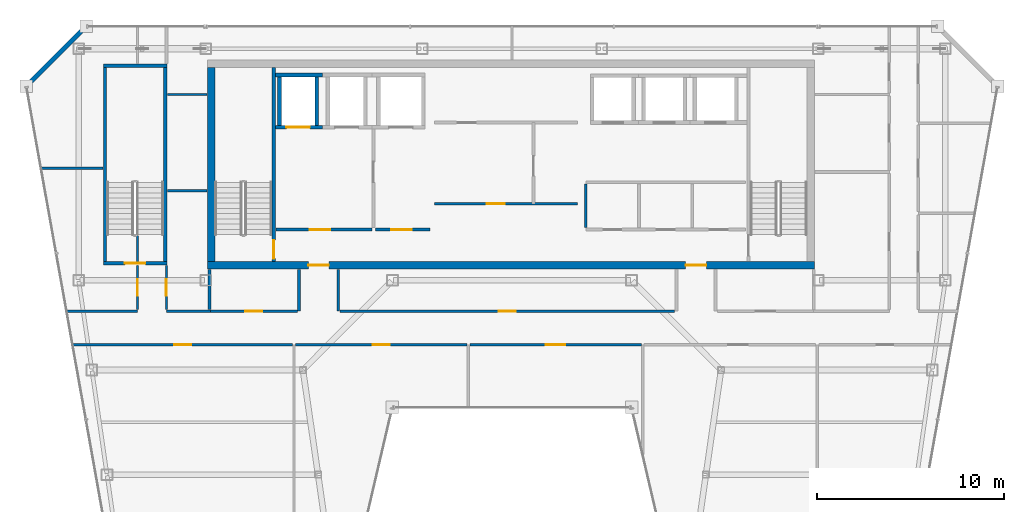
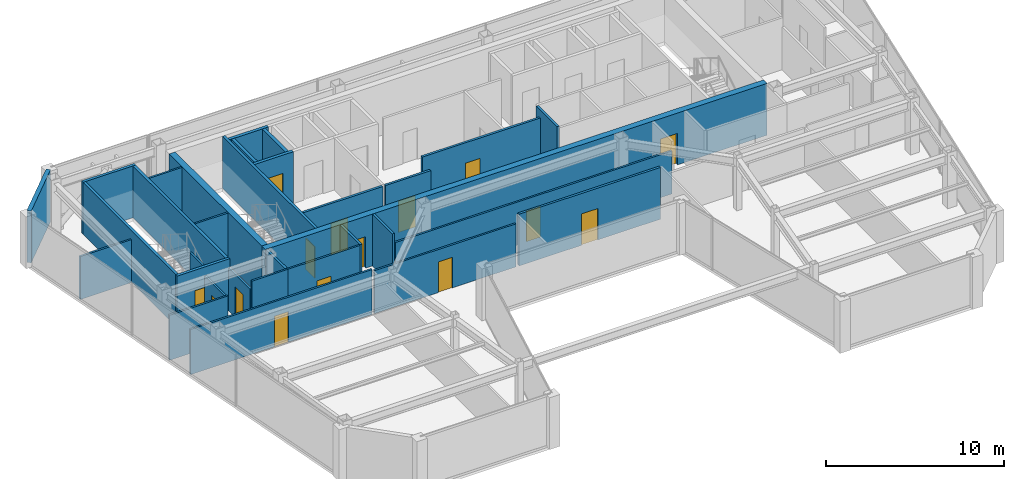
# One storey, part 27 of 32: 32 walls, 15 doors, 15 openings.
"""IFC4 building model written with IfcOpenShell, lengths in metres."""

from ifc_helpers import new_model, si_unit, direction, frame, frame_2d, origin, place, context, subcontext, project, spatial, rectangle, extrude, material, layer, layer_set, type_object, element, fill, save


model = new_model("IFC4")

# Units and contexts
model_context = context("Model", 3, precision=1e-05, world=origin(), true_north=direction((0.0, 1.0)))
body_context = subcontext(model_context, "Body", "Model", "MODEL_VIEW")
ifc_project = project(units=[si_unit("LENGTHUNIT", "METRE"), si_unit("AREAUNIT", "SQUARE_METRE"), si_unit("VOLUMEUNIT", "CUBIC_METRE"), si_unit("PLANEANGLEUNIT", "RADIAN"), si_unit("MASSUNIT", "GRAM", prefix="KILO")], contexts=[model_context])

# Site, building, storey
site_placement = place(None, origin())
site = spatial("IfcSite", under=ifc_project, at=site_placement, CompositionType="ELEMENT")
building_placement = place(site_placement, origin())
building = spatial("IfcBuilding", under=site, at=building_placement, Name="Saevonmaru Cultural Tower", CompositionType="ELEMENT")
storey_placement = place(building_placement, frame((0.0, 0.0, 264.800048828125)))
storey = spatial("IfcBuildingStorey", under=building, at=storey_placement, Name="L62", CompositionType="ELEMENT", Elevation=264.800048828125)

# Wall, openings, doors
ifc_material_1 = material(Name="Concrete C50/60", Category="concrete")
ifc_layer_1 = layer(ifc_material_1, 0.39990234375, Name="Concrete C50/60")
ifc_layer_set_1 = layer_set([ifc_layer_1], Name="Concrete C50/60")
wall_type_1 = type_object("IfcWallType", Name="WL-CORE-400", PredefinedType="SHEAR", material=ifc_layer_set_1)
wall_1_placement = place(storey_placement, frame((13.699951171875, 43.199951171875, 0.0), z_axis=(0.0, 0.0, 1.0), x_axis=(1.0, 0.0, 0.0)))
wall_1 = element("IfcWall", 1, at=wall_1_placement, inside=storey, type_object=wall_type_1, Name="L62 Tower RC core shear wall S", PredefinedType="SHEAR", context=body_context, shape_type="SweptSolid", body=[
    extrude(rectangle(XDim=32.5, YDim=0.39990234375, at=frame_2d((16.25, 0.0))), origin(), (0.0, 0.0, 1.0), 3.550048828125),
])
opening_1_placement = place(wall_1_placement, frame((5.39990234375, 0.0, 0.0)))
opening_1 = element("IfcOpeningElement", 2, at=opening_1_placement, cuts=wall_1, Name="Opening FD-2", PredefinedType="OPENING", context=body_context, shape_type="SweptSolid", body=[
    extrude(rectangle(XDim=1.10009765625, YDim=2.14990234375, at=frame_2d((0.550048828125, 1.074951171875))), frame((0.0, 0.2099609375, 0.0), z_axis=(0.0, -1.0, 0.0), x_axis=(1.0, 0.0, 0.0)), (0.0, 0.0, 1.0), 0.419921875),
])
opening_2_placement = place(wall_1_placement, frame((25.60009765625, 0.0, 0.0)))
opening_2 = element("IfcOpeningElement", 3, at=opening_2_placement, cuts=wall_1, Name="Opening FD-2", PredefinedType="OPENING", context=body_context, shape_type="SweptSolid", body=[
    extrude(rectangle(XDim=1.10009765625, YDim=2.14990234375, at=frame_2d((0.550048828125, 1.074951171875))), frame((0.0, 0.2099609375, 0.0), z_axis=(0.0, -1.0, 0.0), x_axis=(1.0, 0.0, 0.0)), (0.0, 0.0, 1.0), 0.419921875),
])
ifc_material_2 = material(Name="Satin Bronze Anodised Aluminium", Category="aluminium")
door_type_1 = type_object("IfcDoorType", Name="DR-FD60-1100", OperationType="SINGLE_SWING_LEFT", PredefinedType="DOOR", material=ifc_material_2)
door_1_placement = place(opening_1_placement, origin())
door_1 = element("IfcDoor", 4, at=door_1_placement, inside=storey, type_object=door_type_1, Name="L62 Core West Lobby Fire Door", OperationType="SINGLE_SWING_LEFT", OverallHeight=2.14990234375, OverallWidth=1.10009765625, PredefinedType="DOOR", context=body_context, shape_type="SweptSolid", body=[
    extrude(rectangle(XDim=1.10009765625, YDim=2.14990234375, at=frame_2d((0.550048828125, 1.074951171875))), frame((0.0, 0.02490234375, 0.0), z_axis=(0.0, -1.0, 0.0), x_axis=(1.0, 0.0, 0.0)), (0.0, 0.0, 1.0), 0.050048828125),
])
fill(opening_1, door_1)
door_2_placement = place(opening_2_placement, origin())
door_2 = element("IfcDoor", 5, at=door_2_placement, inside=storey, type_object=door_type_1, Name="L62 Core East Lobby Fire Door", OperationType="SINGLE_SWING_LEFT", OverallHeight=2.14990234375, OverallWidth=1.10009765625, PredefinedType="DOOR", context=body_context, shape_type="SweptSolid", body=[
    extrude(rectangle(XDim=1.10009765625, YDim=2.14990234375, at=frame_2d((0.550048828125, 1.074951171875))), frame((0.0, 0.02490234375, 0.0), z_axis=(0.0, -1.0, 0.0), x_axis=(1.0, 0.0, 0.0)), (0.0, 0.0, 1.0), 0.050048828125),
])
fill(opening_2, door_2)

# Wall
wall_2_placement = place(storey_placement, frame((13.89990234375, 43.39990234375, 0.0), z_axis=(0.0, 0.0, 1.0), x_axis=(0.0, 1.0, 0.0)))
element("IfcWall", 6, at=wall_2_placement, inside=storey, type_object=wall_type_1, Name="L62 Tower RC core shear wall W", PredefinedType="SHEAR", context=body_context, shape_type="SweptSolid", body=[
    extrude(rectangle(XDim=10.400146484375, YDim=0.39990234375, at=frame_2d((5.2001953125, 0.0))), origin(), (0.0, 0.0, 1.0), 3.550048828125),
])

# Wall, opening, door
ifc_material_3 = material(Name="Gypsum Fireboard Partition", Category="gypsum")
ifc_layer_2 = layer(ifc_material_3, 0.14990234375, Name="Gypsum Fireboard Partition")
ifc_layer_set_2 = layer_set([ifc_layer_2], Name="Gypsum Fireboard Partition")
wall_type_2 = type_object("IfcWallType", Name="WL-CORE-PART-150", PredefinedType="PARTITIONING", material=ifc_layer_set_2)
wall_3_placement = place(storey_placement, frame((17.360107421875, 45.1201171875, 0.0), z_axis=(0.0, 0.0, 1.0), x_axis=(1.0, 0.0, 0.0)))
wall_3 = element("IfcWall", 7, at=wall_3_placement, inside=storey, type_object=wall_type_2, Name="L62 Firefighting Lift Lobby South Wall", PredefinedType="PARTITIONING", context=body_context, shape_type="SweptSolid", body=[
    extrude(rectangle(XDim=5.139892578125, YDim=0.14990234375, at=frame_2d((2.56982421875, 0.0))), origin(), (0.0, 0.0, 1.0), 3.550048828125),
])
opening_3_placement = place(wall_3_placement, frame((1.800048828125, 0.0, 0.0)))
opening_3 = element("IfcOpeningElement", 8, at=opening_3_placement, cuts=wall_3, Name="Opening FD-2", PredefinedType="OPENING", context=body_context, shape_type="SweptSolid", body=[
    extrude(rectangle(XDim=1.10009765625, YDim=2.14990234375, at=frame_2d((0.550048828125, 1.074951171875))), frame((0.0, 0.0849609375, 0.0), z_axis=(0.0, -1.0, 0.0), x_axis=(1.0, 0.0, 0.0)), (0.0, 0.0, 1.0), 0.169921875),
])
door_3_placement = place(opening_3_placement, origin())
door_3 = element("IfcDoor", 9, at=door_3_placement, inside=storey, type_object=door_type_1, Name="L62 Firefighting Lift Lobby South Door", OperationType="SINGLE_SWING_LEFT", OverallHeight=2.14990234375, OverallWidth=1.10009765625, PredefinedType="DOOR", context=body_context, shape_type="SweptSolid", body=[
    extrude(rectangle(XDim=1.10009765625, YDim=2.14990234375, at=frame_2d((0.550048828125, 1.074951171875))), frame((0.0, 0.02490234375, 0.0), z_axis=(0.0, -1.0, 0.0), x_axis=(1.0, 0.0, 0.0)), (0.0, 0.0, 1.0), 0.050048828125),
])
fill(opening_3, door_3)

wall_4_placement = place(storey_placement, frame((22.679931640625, 45.1201171875, 0.0), z_axis=(0.0, 0.0, 1.0), x_axis=(1.0, 0.0, 0.0)))
wall_4 = element("IfcWall", 10, at=wall_4_placement, inside=storey, type_object=wall_type_2, Name="L62 Service Lift Vestibule Wall", PredefinedType="PARTITIONING", context=body_context, shape_type="SweptSolid", body=[
    extrude(rectangle(XDim=2.920166015625, YDim=0.14990234375, at=frame_2d((1.4599609375, 0.0))), origin(), (0.0, 0.0, 1.0), 3.550048828125),
])
opening_4_placement = place(wall_4_placement, frame((0.85009765625, 0.0, 0.0)))
opening_4 = element("IfcOpeningElement", 11, at=opening_4_placement, cuts=wall_4, Name="Opening FD-2", PredefinedType="OPENING", context=body_context, shape_type="SweptSolid", body=[
    extrude(rectangle(XDim=1.10009765625, YDim=2.14990234375, at=frame_2d((0.550048828125, 1.074951171875))), frame((0.0, 0.0849609375, 0.0), z_axis=(0.0, -1.0, 0.0), x_axis=(1.0, 0.0, 0.0)), (0.0, 0.0, 1.0), 0.169921875),
])
door_4_placement = place(opening_4_placement, origin())
door_4 = element("IfcDoor", 12, at=door_4_placement, inside=storey, type_object=door_type_1, Name="L62 Service Lift Vestibule Door", OperationType="SINGLE_SWING_LEFT", OverallHeight=2.14990234375, OverallWidth=1.10009765625, PredefinedType="DOOR", context=body_context, shape_type="SweptSolid", body=[
    extrude(rectangle(XDim=1.10009765625, YDim=2.14990234375, at=frame_2d((0.550048828125, 1.074951171875))), frame((0.0, 0.02490234375, 0.0), z_axis=(0.0, -1.0, 0.0), x_axis=(1.0, 0.0, 0.0)), (0.0, 0.0, 1.0), 0.050048828125),
])
fill(opening_4, door_4)

# Wall
wall_5_placement = place(storey_placement, frame((33.949951171875, 45.219970703125, 0.0), z_axis=(0.0, 0.0, 1.0), x_axis=(0.0, 1.0, 0.0)))
element("IfcWall", 13, at=wall_5_placement, inside=storey, type_object=wall_type_2, Name="L62 Core Utility West Wall", PredefinedType="PARTITIONING", context=body_context, shape_type="SweptSolid", body=[
    extrude(rectangle(XDim=2.330078125, YDim=0.14990234375, at=frame_2d((1.1650390625, 0.0))), origin(), (0.0, 0.0, 1.0), 3.550048828125),
])

# Wall, opening, door
wall_6_placement = place(storey_placement, frame((25.85009765625, 46.5, 0.0), z_axis=(0.0, 0.0, 1.0), x_axis=(1.0, 0.0, 0.0)))
wall_6 = element("IfcWall", 14, at=wall_6_placement, inside=storey, type_object=wall_type_2, Name="L62 Reclaimed Mid-Shaft Wall", PredefinedType="PARTITIONING", context=body_context, shape_type="SweptSolid", body=[
    extrude(rectangle(XDim=7.64990234375, YDim=0.14990234375, at=frame_2d((3.824951171875, 0.0))), origin(), (0.0, 0.0, 1.0), 3.550048828125),
])
opening_5_placement = place(wall_6_placement, frame((2.800048828125, 0.0, 0.0)))
opening_5 = element("IfcOpeningElement", 15, at=opening_5_placement, cuts=wall_6, Name="Opening FD-4", PredefinedType="OPENING", context=body_context, shape_type="SweptSolid", body=[
    extrude(rectangle(XDim=0.949951171875, YDim=2.14990234375, at=frame_2d((0.47509765625, 1.074951171875))), frame((0.0, 0.0849609375, 0.0), z_axis=(0.0, -1.0, 0.0), x_axis=(1.0, 0.0, 0.0)), (0.0, 0.0, 1.0), 0.169921875),
])
door_type_2 = type_object("IfcDoorType", Name="DR-FD60-950", OperationType="SINGLE_SWING_LEFT", PredefinedType="DOOR", material=ifc_material_2)
door_5_placement = place(opening_5_placement, origin())
door_5 = element("IfcDoor", 16, at=door_5_placement, inside=storey, type_object=door_type_2, Name="L62 Reclaimed Manuscript Storage Door", OperationType="SINGLE_SWING_LEFT", OverallHeight=2.14990234375, OverallWidth=0.949951171875, PredefinedType="DOOR", context=body_context, shape_type="SweptSolid", body=[
    extrude(rectangle(XDim=0.949951171875, YDim=2.14990234375, at=frame_2d((0.47509765625, 1.074951171875))), frame((0.0, 0.02490234375, 0.0), z_axis=(0.0, -1.0, 0.0), x_axis=(1.0, 0.0, 0.0)), (0.0, 0.0, 1.0), 0.050048828125),
])
fill(opening_5, door_5)

# Walls
ifc_material_4 = material(Name="Granite-Clad Precast Concrete C40/50", Category="masonry")
ifc_layer_3 = layer(ifc_material_4, 0.260009765625, Name="Granite-Clad Precast Concrete C40/50")
ifc_layer_set_3 = layer_set([ifc_layer_3], Name="Granite-Clad Precast Concrete C40/50")
wall_type_3 = type_object("IfcWallType", Name="WL-EXT-SPANDREL-260", PredefinedType="STANDARD", material=ifc_layer_set_3)
wall_7_placement = place(storey_placement, frame((7.0869140625, 55.886962890625, 0.0), z_axis=(0.0, 0.0, 1.0), x_axis=(-0.707106781187, -0.707106781187, 0.0)))
element("IfcWall", 17, at=wall_7_placement, inside=storey, type_object=wall_type_3, Name="L62 Chamfer Corner Spandrel Wall E11", PredefinedType="STANDARD", context=body_context, shape_type="SweptSolid", body=[
    extrude(rectangle(XDim=4.205810546875, YDim=0.260009765625, at=frame_2d((2.10302734375, 0.0))), origin(), (0.0, 0.0, 1.0), 3.550048828125),
])
ifc_layer_4 = layer(ifc_material_3, 0.14990234375, Name="Gypsum Fireboard Partition")
ifc_layer_set_4 = layer_set([ifc_layer_4], Name="Gypsum Fireboard Partition")
wall_type_4 = type_object("IfcWallType", Name="WL-PART-FIRE-150", PredefinedType="PARTITIONING", material=ifc_layer_set_4)
wall_8_placement = place(storey_placement, frame((13.800048828125, 40.830078125, 0.0), z_axis=(0.0, 0.0, 1.0), x_axis=(0.0, 1.0, 0.0)))
element("IfcWall", 18, at=wall_8_placement, inside=storey, type_object=wall_type_4, Name="L62 Core Portal Side Wall W0", PredefinedType="PARTITIONING", context=body_context, shape_type="SweptSolid", body=[
    extrude(rectangle(XDim=2.14990234375, YDim=0.14990234375, at=frame_2d((1.074951171875, 0.0))), origin(), (0.0, 0.0, 1.0), 3.550048828125),
])
for number, where, z_axis, x_axis, name in (
    (19, (18.60009765625, 40.75, 0.0), (0.0, 0.0, 1.0), (0.0, 1.0, 0.0), "L62 Core Portal Side Wall W1"),
    (20, (20.699951171875, 40.75, 0.0), (0.0, 0.0, 1.0), (0.0, 1.0, 0.0), "L62 Core Portal Side Wall W2"),
):
    element("IfcWall", number, at=place(storey_placement, frame(where, z_axis=z_axis, x_axis=x_axis)), inside=storey, type_object=wall_type_4, Name=name, PredefinedType="PARTITIONING", context=body_context, shape_type="SweptSolid", body=[
        extrude(rectangle(XDim=2.22998046875, YDim=0.14990234375, at=frame_2d((1.114990234375, 0.0))), origin(), (0.0, 0.0, 1.0), 3.550048828125),
    ])

# Wall, opening, door
wall_9_placement = place(storey_placement, frame((27.757568359375, 38.949951171875, 0.0), z_axis=(0.0, 0.0, 1.0), x_axis=(1.0, 0.0, 0.0)))
wall_9 = element("IfcWall", 21, at=wall_9_placement, inside=storey, type_object=wall_type_4, Name="L62 Sculpture Study Gallery Corridor Wall", PredefinedType="PARTITIONING", context=body_context, shape_type="SweptSolid", body=[
    extrude(rectangle(XDim=9.162353515625, YDim=0.14990234375, at=frame_2d((4.5810546875, 0.0))), origin(), (0.0, 0.0, 1.0), 3.550048828125),
])
opening_6_placement = place(wall_9_placement, frame((4.055908203125, 0.0, 0.0)))
opening_6 = element("IfcOpeningElement", 22, at=opening_6_placement, cuts=wall_9, Name="Opening ID-1", PredefinedType="OPENING", context=body_context, shape_type="SweptSolid", body=[
    extrude(rectangle(XDim=1.050048828125, YDim=2.14990234375, at=frame_2d((0.52490234375, 1.074951171875))), frame((0.0, 0.0849609375, 0.0), z_axis=(0.0, -1.0, 0.0), x_axis=(1.0, 0.0, 0.0)), (0.0, 0.0, 1.0), 0.169921875),
])
door_type_3 = type_object("IfcDoorType", Name="DR-INT-1050", OperationType="SINGLE_SWING_LEFT", PredefinedType="DOOR", material=ifc_material_2)
door_6_placement = place(opening_6_placement, origin())
door_6 = element("IfcDoor", 23, at=door_6_placement, inside=storey, type_object=door_type_3, Name="L62 Sculpture Study Gallery Door", OperationType="SINGLE_SWING_LEFT", OverallHeight=2.14990234375, OverallWidth=1.050048828125, PredefinedType="DOOR", context=body_context, shape_type="SweptSolid", body=[
    extrude(rectangle(XDim=1.050048828125, YDim=2.14990234375, at=frame_2d((0.52490234375, 1.074951171875))), frame((0.0, 0.02490234375, 0.0), z_axis=(0.0, -1.0, 0.0), x_axis=(1.0, 0.0, 0.0)), (0.0, 0.0, 1.0), 0.050048828125),
])
fill(opening_6, door_6)

# Walls
ifc_layer_5 = layer(ifc_material_3, 0.1201171875, Name="Gypsum Fireboard Partition")
ifc_layer_set_5 = layer_set([ifc_layer_5], Name="Gypsum Fireboard Partition")
wall_type_5 = type_object("IfcWallType", Name="WL-PART-GYP-120", PredefinedType="PARTITIONING", material=ifc_layer_set_5)
wall_10_placement = place(storey_placement, frame((6.161376953125, 40.75, 0.0), z_axis=(0.0, 0.0, 1.0), x_axis=(1.0, 0.0, 0.0)))
element("IfcWall", 24, at=wall_10_placement, inside=storey, type_object=wall_type_5, Name="L62 NW Wing South Wall", PredefinedType="PARTITIONING", context=body_context, shape_type="SweptSolid", body=[
    extrude(rectangle(XDim=3.78857421875, YDim=0.1201171875, at=frame_2d((1.894287109375, 0.0))), origin(), (0.0, 0.0, 1.0), 3.0849609375),
])
wall_11_placement = place(storey_placement, frame((11.5, 40.75, 0.0), z_axis=(0.0, 0.0, 1.0), x_axis=(1.0, 0.0, 0.0)))
element("IfcWall", 25, at=wall_11_placement, inside=storey, type_object=wall_type_5, Name="L62 NW Inner South Wall", PredefinedType="PARTITIONING", context=body_context, shape_type="SweptSolid", body=[
    extrude(rectangle(XDim=2.35009765625, YDim=0.1201171875, at=frame_2d((1.175048828125, 0.0))), origin(), (0.0, 0.0, 1.0), 3.550048828125),
])
wall_12_placement = place(storey_placement, frame((11.550048828125, 52.35009765625, 0.0), z_axis=(0.0, 0.0, 1.0), x_axis=(1.0, 0.0, 0.0)))
element("IfcWall", 26, at=wall_12_placement, inside=storey, type_object=wall_type_5, Name="L62 North-West Panorama South Wall", PredefinedType="PARTITIONING", context=body_context, shape_type="SweptSolid", body=[
    extrude(rectangle(XDim=2.1298828125, YDim=0.1201171875, at=frame_2d((1.06494140625, 0.0))), origin(), (0.0, 0.0, 1.0), 3.550048828125),
])
wall_13_placement = place(storey_placement, frame((4.79248046875, 48.39990234375, 0.0), z_axis=(0.0, 0.0, 1.0), x_axis=(1.0, 0.0, 0.0)))
element("IfcWall", 27, at=wall_13_placement, inside=storey, type_object=wall_type_5, Name="L62 NW Studio Divider 1", PredefinedType="PARTITIONING", context=body_context, shape_type="SweptSolid", body=[
    extrude(rectangle(XDim=3.3076171875, YDim=0.1201171875, at=frame_2d((1.65380859375, 0.0))), origin(), (0.0, 0.0, 1.0), 2.947021484375),
])

# Wall, opening, door
wall_14_placement = place(storey_placement, frame((9.949951171875, 40.830078125, 0.0), z_axis=(0.0, 0.0, 1.0), x_axis=(0.0, 1.0, 0.0)))
wall_14 = element("IfcWall", 28, at=wall_14_placement, inside=storey, type_object=wall_type_5, Name="L62 Visiting Fellows Office Corridor Wall", PredefinedType="PARTITIONING", context=body_context, shape_type="SweptSolid", body=[
    extrude(rectangle(XDim=2.369873046875, YDim=0.1201171875, at=frame_2d((1.18505859375, 0.0))), origin(), (0.0, 0.0, 1.0), 2.947021484375),
])
opening_7_placement = place(wall_14_placement, frame((0.735107421875, 0.0, 0.0)))
opening_7 = element("IfcOpeningElement", 29, at=opening_7_placement, cuts=wall_14, Name="Opening ID-2", PredefinedType="OPENING", context=body_context, shape_type="SweptSolid", body=[
    extrude(rectangle(XDim=0.89990234375, YDim=2.10009765625, at=frame_2d((0.449951171875, 1.050048828125))), frame((0.0, 0.070068359375, 0.0), z_axis=(0.0, -1.0, 0.0), x_axis=(1.0, 0.0, 0.0)), (0.0, 0.0, 1.0), 0.14013671875),
])
ifc_material_5 = material(Name="Acoustic Stained Oak Timber", Category="wood")
door_type_4 = type_object("IfcDoorType", Name="DR-INT-900", OperationType="SINGLE_SWING_RIGHT", PredefinedType="DOOR", material=ifc_material_5)
door_7_placement = place(opening_7_placement, origin())
door_7 = element("IfcDoor", 30, at=door_7_placement, inside=storey, type_object=door_type_4, Name="L62 Visiting Fellows Office Door", OperationType="SINGLE_SWING_LEFT", OverallHeight=2.10009765625, OverallWidth=0.89990234375, PredefinedType="DOOR", context=body_context, shape_type="SweptSolid", body=[
    extrude(rectangle(XDim=0.89990234375, YDim=2.10009765625, at=frame_2d((0.449951171875, 1.050048828125))), frame((0.0, 0.02490234375, 0.0), z_axis=(0.0, -1.0, 0.0), x_axis=(1.0, 0.0, 0.0)), (0.0, 0.0, 1.0), 0.050048828125),
])
fill(opening_7, door_7)

# Walls
wall_15_placement = place(storey_placement, frame((9.949951171875, 43.419921875, 0.0), z_axis=(0.0, 0.0, 1.0), x_axis=(0.0, 1.0, 0.0)))
element("IfcWall", 31, at=wall_15_placement, inside=storey, type_object=wall_type_5, Name="L62 Visiting Fellows Office Corridor Wall (2)", PredefinedType="PARTITIONING", context=body_context, shape_type="SweptSolid", body=[
    extrude(rectangle(XDim=1.4501953125, YDim=0.1201171875, at=frame_2d((0.72509765625, 0.0))), origin(), (0.0, 0.0, 1.0), 3.550048828125),
])
wall_16_placement = place(storey_placement, frame((11.550048828125, 47.199951171875, 0.0), z_axis=(0.0, 0.0, 1.0), x_axis=(1.0, 0.0, 0.0)))
element("IfcWall", 32, at=wall_16_placement, inside=storey, type_object=wall_type_5, Name="L62 NW Inner Divider", PredefinedType="PARTITIONING", context=body_context, shape_type="SweptSolid", body=[
    extrude(rectangle(XDim=2.1298828125, YDim=0.1201171875, at=frame_2d((1.06494140625, 0.0))), origin(), (0.0, 0.0, 1.0), 3.550048828125),
])

# Wall, opening, door
wall_17_placement = place(storey_placement, frame((11.5, 40.830078125, 0.0), z_axis=(0.0, 0.0, 1.0), x_axis=(0.0, 1.0, 0.0)))
wall_17 = element("IfcWall", 33, at=wall_17_placement, inside=storey, type_object=wall_type_5, Name="L62 Digital Humanities Office Corridor Wall", PredefinedType="PARTITIONING", context=body_context, shape_type="SweptSolid", body=[
    extrude(rectangle(XDim=2.369873046875, YDim=0.1201171875, at=frame_2d((1.18505859375, 0.0))), origin(), (0.0, 0.0, 1.0), 2.947021484375),
])
opening_8_placement = place(wall_17_placement, frame((0.735107421875, 0.0, 0.0)))
opening_8 = element("IfcOpeningElement", 34, at=opening_8_placement, cuts=wall_17, Name="Opening ID-2", PredefinedType="OPENING", context=body_context, shape_type="SweptSolid", body=[
    extrude(rectangle(XDim=0.89990234375, YDim=2.10009765625, at=frame_2d((0.449951171875, 1.050048828125))), frame((0.0, 0.070068359375, 0.0), z_axis=(0.0, -1.0, 0.0), x_axis=(1.0, 0.0, 0.0)), (0.0, 0.0, 1.0), 0.14013671875),
])
door_8_placement = place(opening_8_placement, origin())
door_8 = element("IfcDoor", 35, at=door_8_placement, inside=storey, type_object=door_type_4, Name="L62 Digital Humanities Office Door", OperationType="SINGLE_SWING_RIGHT", OverallHeight=2.10009765625, OverallWidth=0.89990234375, PredefinedType="DOOR", context=body_context, shape_type="SweptSolid", body=[
    extrude(rectangle(XDim=0.89990234375, YDim=2.10009765625, at=frame_2d((0.449951171875, 1.050048828125))), frame((0.0, 0.02490234375, 0.0), z_axis=(0.0, -1.0, 0.0), x_axis=(1.0, 0.0, 0.0)), (0.0, 0.0, 1.0), 0.050048828125),
])
fill(opening_8, door_8)

wall_18_placement = place(storey_placement, frame((13.85009765625, 40.75, 0.0), z_axis=(0.0, 0.0, 1.0), x_axis=(1.0, 0.0, 0.0)))
wall_18 = element("IfcWall", 36, at=wall_18_placement, inside=storey, type_object=wall_type_5, Name="L62 Visiting Fellows Office Corridor Wall", PredefinedType="PARTITIONING", context=body_context, shape_type="SweptSolid", body=[
    extrude(rectangle(XDim=4.65478515625, YDim=0.1201171875, at=frame_2d((2.327392578125, 0.0))), origin(), (0.0, 0.0, 1.0), 3.550048828125),
])
opening_9_placement = place(wall_18_placement, frame((1.876953125, 0.0, 0.0)))
opening_9 = element("IfcOpeningElement", 37, at=opening_9_placement, cuts=wall_18, Name="Opening ID-2", PredefinedType="OPENING", context=body_context, shape_type="SweptSolid", body=[
    extrude(rectangle(XDim=0.89990234375, YDim=2.10009765625, at=frame_2d((0.449951171875, 1.050048828125))), frame((0.0, 0.070068359375, 0.0), z_axis=(0.0, -1.0, 0.0), x_axis=(1.0, 0.0, 0.0)), (0.0, 0.0, 1.0), 0.14013671875),
])
door_9_placement = place(opening_9_placement, origin())
door_9 = element("IfcDoor", 38, at=door_9_placement, inside=storey, type_object=door_type_4, Name="L62 Visiting Fellows Office Door", OperationType="SINGLE_SWING_RIGHT", OverallHeight=2.10009765625, OverallWidth=0.89990234375, PredefinedType="DOOR", context=body_context, shape_type="SweptSolid", body=[
    extrude(rectangle(XDim=0.89990234375, YDim=2.10009765625, at=frame_2d((0.449951171875, 1.050048828125))), frame((0.0, 0.02490234375, 0.0), z_axis=(0.0, -1.0, 0.0), x_axis=(1.0, 0.0, 0.0)), (0.0, 0.0, 1.0), 0.050048828125),
])
fill(opening_9, door_9)

wall_19_placement = place(storey_placement, frame((20.794921875, 40.75, 0.0), z_axis=(0.0, 0.0, 1.0), x_axis=(1.0, 0.0, 0.0)))
wall_19 = element("IfcWall", 39, at=wall_19_placement, inside=storey, type_object=wall_type_5, Name="L62 Digital Humanities Office Corridor Wall", PredefinedType="PARTITIONING", context=body_context, shape_type="SweptSolid", body=[
    extrude(rectangle(XDim=17.91015625, YDim=0.1201171875, at=frame_2d((8.955078125, 0.0))), origin(), (0.0, 0.0, 1.0), 2.947021484375),
])
opening_10_placement = place(wall_19_placement, frame((8.5048828125, 0.0, 0.0)))
opening_10 = element("IfcOpeningElement", 40, at=opening_10_placement, cuts=wall_19, Name="Opening ID-2", PredefinedType="OPENING", context=body_context, shape_type="SweptSolid", body=[
    extrude(rectangle(XDim=0.89990234375, YDim=2.10009765625, at=frame_2d((0.449951171875, 1.050048828125))), frame((0.0, 0.070068359375, 0.0), z_axis=(0.0, -1.0, 0.0), x_axis=(1.0, 0.0, 0.0)), (0.0, 0.0, 1.0), 0.14013671875),
])
door_10_placement = place(opening_10_placement, origin())
door_10 = element("IfcDoor", 41, at=door_10_placement, inside=storey, type_object=door_type_4, Name="L62 Digital Humanities Office Door", OperationType="SINGLE_SWING_LEFT", OverallHeight=2.10009765625, OverallWidth=0.89990234375, PredefinedType="DOOR", context=body_context, shape_type="SweptSolid", body=[
    extrude(rectangle(XDim=0.89990234375, YDim=2.10009765625, at=frame_2d((0.449951171875, 1.050048828125))), frame((0.0, 0.02490234375, 0.0), z_axis=(0.0, -1.0, 0.0), x_axis=(1.0, 0.0, 0.0)), (0.0, 0.0, 1.0), 0.050048828125),
])
fill(opening_10, door_10)

wall_20_placement = place(storey_placement, frame((6.4833984375, 38.949951171875, 0.0), z_axis=(0.0, 0.0, 1.0), x_axis=(1.0, 0.0, 0.0)))
wall_20 = element("IfcWall", 42, at=wall_20_placement, inside=storey, type_object=wall_type_5, Name="L62 Visiting Fellows Office Corridor Wall", PredefinedType="PARTITIONING", context=body_context, shape_type="SweptSolid", body=[
    extrude(rectangle(XDim=11.7666015625, YDim=0.1201171875, at=frame_2d((5.88330078125, 0.0))), origin(), (0.0, 0.0, 1.0), 3.0849609375),
])
opening_11_placement = place(wall_20_placement, frame((5.43310546875, 0.0, 0.0)))
opening_11 = element("IfcOpeningElement", 43, at=opening_11_placement, cuts=wall_20, Name="Opening ID-2", PredefinedType="OPENING", context=body_context, shape_type="SweptSolid", body=[
    extrude(rectangle(XDim=0.89990234375, YDim=2.10009765625, at=frame_2d((0.449951171875, 1.050048828125))), frame((0.0, 0.070068359375, 0.0), z_axis=(0.0, -1.0, 0.0), x_axis=(1.0, 0.0, 0.0)), (0.0, 0.0, 1.0), 0.14013671875),
])
door_11_placement = place(opening_11_placement, origin())
door_11 = element("IfcDoor", 44, at=door_11_placement, inside=storey, type_object=door_type_4, Name="L62 Visiting Fellows Office Door", OperationType="SINGLE_SWING_LEFT", OverallHeight=2.10009765625, OverallWidth=0.89990234375, PredefinedType="DOOR", context=body_context, shape_type="SweptSolid", body=[
    extrude(rectangle(XDim=0.89990234375, YDim=2.10009765625, at=frame_2d((0.449951171875, 1.050048828125))), frame((0.0, 0.02490234375, 0.0), z_axis=(0.0, -1.0, 0.0), x_axis=(1.0, 0.0, 0.0)), (0.0, 0.0, 1.0), 0.050048828125),
])
fill(opening_11, door_11)

wall_21_placement = place(storey_placement, frame((18.409912109375, 38.949951171875, 0.0), z_axis=(0.0, 0.0, 1.0), x_axis=(1.0, 0.0, 0.0)))
wall_21 = element("IfcWall", 45, at=wall_21_placement, inside=storey, type_object=wall_type_5, Name="L62 Digital Humanities Office Corridor Wall", PredefinedType="PARTITIONING", context=body_context, shape_type="SweptSolid", body=[
    extrude(rectangle(XDim=9.172607421875, YDim=0.1201171875, at=frame_2d((4.58642578125, 0.0))), origin(), (0.0, 0.0, 1.0), 2.947021484375),
])
opening_12_placement = place(wall_21_placement, frame((4.135986328125, 0.0, 0.0)))
opening_12 = element("IfcOpeningElement", 46, at=opening_12_placement, cuts=wall_21, Name="Opening ID-2", PredefinedType="OPENING", context=body_context, shape_type="SweptSolid", body=[
    extrude(rectangle(XDim=0.89990234375, YDim=2.10009765625, at=frame_2d((0.449951171875, 1.050048828125))), frame((0.0, 0.070068359375, 0.0), z_axis=(0.0, -1.0, 0.0), x_axis=(1.0, 0.0, 0.0)), (0.0, 0.0, 1.0), 0.14013671875),
])
door_12_placement = place(opening_12_placement, origin())
door_12 = element("IfcDoor", 47, at=door_12_placement, inside=storey, type_object=door_type_4, Name="L62 Digital Humanities Office Door", OperationType="SINGLE_SWING_RIGHT", OverallHeight=2.10009765625, OverallWidth=0.89990234375, PredefinedType="DOOR", context=body_context, shape_type="SweptSolid", body=[
    extrude(rectangle(XDim=0.89990234375, YDim=2.10009765625, at=frame_2d((0.449951171875, 1.050048828125))), frame((0.0, 0.02490234375, 0.0), z_axis=(0.0, -1.0, 0.0), x_axis=(1.0, 0.0, 0.0)), (0.0, 0.0, 1.0), 0.050048828125),
])
fill(opening_12, door_12)

ifc_material_6 = material(Name="Concrete C40/50", Category="concrete")
ifc_layer_6 = layer(ifc_material_6, 0.199951171875, Name="Concrete C40/50")
ifc_layer_set_6 = layer_set([ifc_layer_6], Name="Concrete C40/50")
wall_type_6 = type_object("IfcWallType", Name="WL-SHAFT-200", PredefinedType="SHEAR", material=ifc_layer_set_6)
wall_22_placement = place(storey_placement, frame((17.330078125, 50.60009765625, 0.0), z_axis=(0.0, 0.0, 1.0), x_axis=(1.0, 0.0, 0.0)))
wall_22 = element("IfcWall", 48, at=wall_22_placement, inside=storey, type_object=wall_type_6, Name="L62 Lift FFL-1 Hoistway Wall S", PredefinedType="SHEAR", context=body_context, shape_type="SweptSolid", body=[
    extrude(rectangle(XDim=2.52001953125, YDim=0.199951171875, at=frame_2d((1.260009765625, 0.0))), origin(), (0.0, 0.0, 1.0), 3.550048828125),
])
opening_13_placement = place(wall_22_placement, frame((0.594970703125, 0.0, 0.0)))
opening_13 = element("IfcOpeningElement", 49, at=opening_13_placement, cuts=wall_22, Name="Opening LD-2", PredefinedType="OPENING", context=body_context, shape_type="SweptSolid", body=[
    extrude(rectangle(XDim=1.25, YDim=2.300048828125, at=frame_2d((0.625, 1.14990234375))), frame((0.0, 0.10986328125, 0.0), z_axis=(0.0, -1.0, 0.0), x_axis=(1.0, 0.0, 0.0)), (0.0, 0.0, 1.0), 0.219970703125),
])
ifc_material_7 = material(Name="Stainless Steel 316", Category="steel")
door_type_5 = type_object("IfcDoorType", Name="DR-LIFT-1250", OperationType="SLIDING_TO_LEFT", PredefinedType="DOOR", material=ifc_material_7)
door_13_placement = place(opening_13_placement, origin())
door_13 = element("IfcDoor", 50, at=door_13_placement, inside=storey, type_object=door_type_5, Name="L62 Lift FFL-1 Sliding Landing Door", OperationType="SLIDING_TO_LEFT", OverallHeight=2.300048828125, OverallWidth=1.25, PredefinedType="DOOR", context=body_context, shape_type="SweptSolid", body=[
    extrude(rectangle(XDim=1.25, YDim=2.300048828125, at=frame_2d((0.625, 1.14990234375))), frame((0.0, 0.02490234375, 0.0), z_axis=(0.0, -1.0, 0.0), x_axis=(1.0, 0.0, 0.0)), (0.0, 0.0, 1.0), 0.050048828125),
])
fill(opening_13, door_13)

# Walls
wall_23_placement = place(storey_placement, frame((17.330078125, 53.39990234375, 0.0), z_axis=(0.0, 0.0, 1.0), x_axis=(1.0, 0.0, 0.0)))
element("IfcWall", 51, at=wall_23_placement, inside=storey, type_object=wall_type_6, Name="L62 Lift FFL-1 Hoistway Wall N", PredefinedType="SHEAR", context=body_context, shape_type="SweptSolid", body=[
    extrude(rectangle(XDim=2.52001953125, YDim=0.199951171875, at=frame_2d((1.260009765625, 0.0))), origin(), (0.0, 0.0, 1.0), 3.550048828125),
])
for number, where, z_axis, x_axis, name in (
    (52, (17.550048828125, 50.699951171875, 0.0), (0.0, 0.0, 1.0), (0.0, 1.0, 0.0), "L62 Lift FFL-1 Hoistway Wall W"),
    (53, (19.550048828125, 50.699951171875, 0.0), (0.0, 0.0, 1.0), (0.0, 1.0, 0.0), "L62 Lift FFL-1 Hoistway Wall E"),
):
    element("IfcWall", number, at=place(storey_placement, frame(where, z_axis=z_axis, x_axis=x_axis)), inside=storey, type_object=wall_type_6, Name=name, PredefinedType="SHEAR", context=body_context, shape_type="SweptSolid", body=[
        extrude(rectangle(XDim=2.60009765625, YDim=0.199951171875, at=frame_2d((1.300048828125, 0.0))), origin(), (0.0, 0.0, 1.0), 3.550048828125),
    ])

# Wall, opening, door
ifc_layer_7 = layer(ifc_material_6, 0.179931640625, Name="Concrete C40/50")
ifc_layer_set_7 = layer_set([ifc_layer_7], Name="Concrete C40/50")
wall_type_7 = type_object("IfcWallType", Name="WL-STSHAFT-180", PredefinedType="SHEAR", material=ifc_layer_set_7)
wall_24_placement = place(storey_placement, frame((17.239990234375, 43.39990234375, 0.0), z_axis=(0.0, 0.0, 1.0), x_axis=(0.0, 1.0, 0.0)))
wall_24 = element("IfcWall", 54, at=wall_24_placement, inside=storey, type_object=wall_type_7, Name="L62 Stair ST-1 Structural Shaft Wall 1", PredefinedType="SHEAR", context=body_context, shape_type="SweptSolid", body=[
    extrude(rectangle(XDim=10.400146484375, YDim=0.179931640625, at=frame_2d((5.2001953125, 0.0))), origin(), (0.0, 0.0, 1.0), 3.550048828125),
])
opening_14_placement = place(wall_24_placement, frame((0.159912109375, 0.0, 0.0)))
opening_14 = element("IfcOpeningElement", 55, at=opening_14_placement, cuts=wall_24, Name="Opening FD-3", PredefinedType="OPENING", context=body_context, shape_type="SweptSolid", body=[
    extrude(rectangle(XDim=1.0, YDim=2.14990234375, at=frame_2d((0.5, 1.074951171875))), frame((0.0, 0.10009765625, 0.0), z_axis=(0.0, -1.0, 0.0), x_axis=(1.0, 0.0, 0.0)), (0.0, 0.0, 1.0), 0.199951171875),
])
door_type_6 = type_object("IfcDoorType", Name="DR-FD60-1000", OperationType="SINGLE_SWING_RIGHT", PredefinedType="DOOR", material=ifc_material_2)
door_14_placement = place(opening_14_placement, origin())
door_14 = element("IfcDoor", 56, at=door_14_placement, inside=storey, type_object=door_type_6, Name="L62 Protected Stair ST-1 Fire Door", OperationType="SINGLE_SWING_RIGHT", OverallHeight=2.14990234375, OverallWidth=1.0, PredefinedType="DOOR", context=body_context, shape_type="SweptSolid", body=[
    extrude(rectangle(XDim=1.0, YDim=2.14990234375, at=frame_2d((0.5, 1.074951171875))), frame((0.0, 0.02490234375, 0.0), z_axis=(0.0, -1.0, 0.0), x_axis=(1.0, 0.0, 0.0)), (0.0, 0.0, 1.0), 0.050048828125),
])
fill(opening_14, door_14)

wall_25_placement = place(storey_placement, frame((8.1201171875, 43.31005859375, 0.0), z_axis=(0.0, 0.0, 1.0), x_axis=(1.0, 0.0, 0.0)))
wall_25 = element("IfcWall", 57, at=wall_25_placement, inside=storey, type_object=wall_type_7, Name="L62 Stair ST-3 Structural Shaft Wall 1", PredefinedType="SHEAR", context=body_context, shape_type="SweptSolid", body=[
    extrude(rectangle(XDim=3.409912109375, YDim=0.179931640625, at=frame_2d((1.705078125, 0.0))), origin(), (0.0, 0.0, 1.0), 3.550048828125),
])
opening_15_placement = place(wall_25_placement, frame((1.14990234375, 0.0, 0.0)))
opening_15 = element("IfcOpeningElement", 58, at=opening_15_placement, cuts=wall_25, Name="Opening FD-2", PredefinedType="OPENING", context=body_context, shape_type="SweptSolid", body=[
    extrude(rectangle(XDim=1.10009765625, YDim=2.14990234375, at=frame_2d((0.550048828125, 1.074951171875))), frame((0.0, 0.10009765625, 0.0), z_axis=(0.0, -1.0, 0.0), x_axis=(1.0, 0.0, 0.0)), (0.0, 0.0, 1.0), 0.199951171875),
])
door_15_placement = place(opening_15_placement, origin())
door_15 = element("IfcDoor", 59, at=door_15_placement, inside=storey, type_object=door_type_1, Name="L62 Protected Stair ST-3 Fire Door", OperationType="SINGLE_SWING_LEFT", OverallHeight=2.14990234375, OverallWidth=1.10009765625, PredefinedType="DOOR", context=body_context, shape_type="SweptSolid", body=[
    extrude(rectangle(XDim=1.10009765625, YDim=2.14990234375, at=frame_2d((0.550048828125, 1.074951171875))), frame((0.0, 0.02490234375, 0.0), z_axis=(0.0, -1.0, 0.0), x_axis=(1.0, 0.0, 0.0)), (0.0, 0.0, 1.0), 0.050048828125),
])
fill(opening_15, door_15)

# Walls
wall_26_placement = place(storey_placement, frame((11.43994140625, 43.39990234375, 0.0), z_axis=(0.0, 0.0, 1.0), x_axis=(0.0, 1.0, 0.0)))
element("IfcWall", 60, at=wall_26_placement, inside=storey, type_object=wall_type_7, Name="L62 Stair ST-3 Structural Shaft Wall 2", PredefinedType="SHEAR", context=body_context, shape_type="SweptSolid", body=[
    extrude(rectangle(XDim=10.400146484375, YDim=0.179931640625, at=frame_2d((5.2001953125, 0.0))), origin(), (0.0, 0.0, 1.0), 3.550048828125),
])
wall_27_placement = place(storey_placement, frame((11.530029296875, 53.889892578125, 0.0), z_axis=(0.0, 0.0, 1.0), x_axis=(-1.0, 0.0, 0.0)))
element("IfcWall", 61, at=wall_27_placement, inside=storey, type_object=wall_type_7, Name="L62 Stair ST-3 Structural Shaft Wall 3", PredefinedType="SHEAR", context=body_context, shape_type="SweptSolid", body=[
    extrude(rectangle(XDim=3.409912109375, YDim=0.179931640625, at=frame_2d((1.705078125, 0.0))), origin(), (0.0, 0.0, 1.0), 3.550048828125),
])
wall_28_placement = place(storey_placement, frame((8.2099609375, 53.800048828125, 0.0), z_axis=(0.0, 0.0, 1.0), x_axis=(0.0, -1.0, 0.0)))
element("IfcWall", 62, at=wall_28_placement, inside=storey, type_object=wall_type_7, Name="L62 Stair ST-3 Structural Shaft Wall 4", PredefinedType="SHEAR", context=body_context, shape_type="SweptSolid", body=[
    extrude(rectangle(XDim=10.400146484375, YDim=0.179931640625, at=frame_2d((5.2001953125, 0.0))), origin(), (0.0, 0.0, 1.0), 3.550048828125),
])

save(model, "model.ifc")
